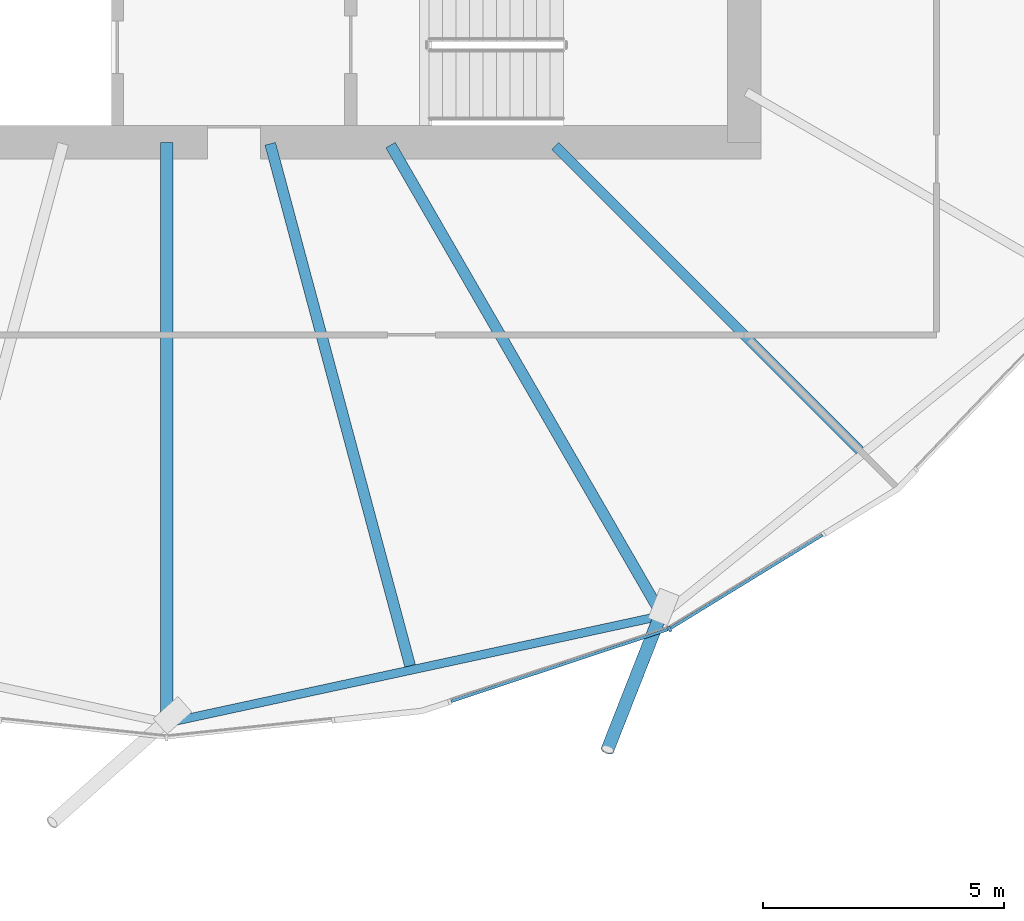
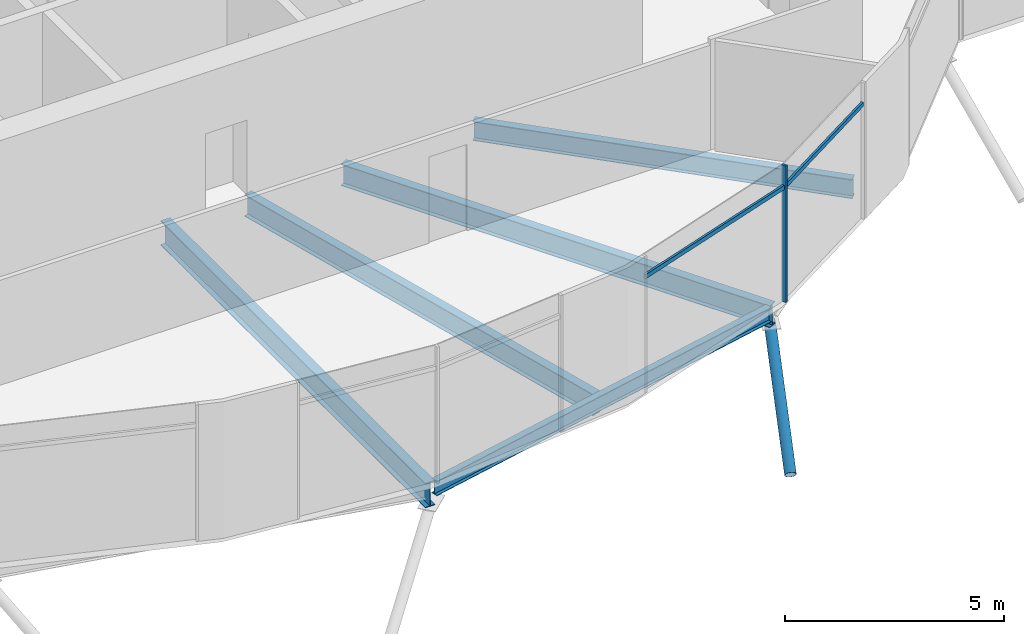
# One storey, part 4 of 39: 5 beams, 4 members, 1 element without a shape of its own.
"""IFC4 building model written with IfcOpenShell, lengths in metres."""

from ifc_helpers import new_model, si_unit, direction, frame, origin, origin_2d, place, context, subcontext, project, spatial, rectangle, hollow_circle, i_section, extrude, clip, halfspace, material, material_profile, profile_set, type_object, element, aggregate, save


model = new_model("IFC4")

# Units and contexts
model_context = context("Model", 3, precision=1e-05, world=origin(), true_north=direction((0.0, 1.0)))
body_context = subcontext(model_context, "Body", "Model", "MODEL_VIEW")
ifc_project = project(units=[si_unit("LENGTHUNIT", "METRE"), si_unit("AREAUNIT", "SQUARE_METRE"), si_unit("VOLUMEUNIT", "CUBIC_METRE"), si_unit("PLANEANGLEUNIT", "RADIAN"), si_unit("MASSUNIT", "GRAM", prefix="KILO")], contexts=[model_context])

# Site, building, storey
site_placement = place(None, origin())
site = spatial("IfcSite", under=ifc_project, at=site_placement, CompositionType="ELEMENT")
building_placement = place(site_placement, origin())
building = spatial("IfcBuilding", under=site, at=building_placement, Name="Rimbun Link Towers", CompositionType="ELEMENT")
storey_placement = place(building_placement, frame((0.0, 0.0, 139.199951171875)))
storey = spatial("IfcBuildingStorey", under=building, at=storey_placement, Name="L33", CompositionType="ELEMENT", Elevation=139.199951171875)

# Curtain wall, members
ifc_material_1 = material(Name="Aluminium 6063-T6 and low-iron glass", Category="aluminium")
curtain_wall_type = type_object("IfcCurtainWallType", Name="CW4 link block wall", PredefinedType="NOTDEFINED", material=ifc_material_1)
curtain_wall_placement = place(storey_placement, origin())
curtain_wall = element("IfcCurtainWall", 1, at=curtain_wall_placement, inside=storey, type_object=curtain_wall_type, Name="CW4 L33 T1", PredefinedType="NOTDEFINED")
ifc_material_2 = material(Name="Aluminium 6063-T6", Category="aluminium")
ifc_material_profile_1 = material_profile(ifc_material_2, rectangle(XDim=0.1201171875, YDim=0.06005859375, at=origin_2d()), Name="MULLION 60X120")
ifc_profile_set_1 = profile_set([ifc_material_profile_1], Name="Aluminium 6063-T6")
member_type_1 = type_object("IfcMemberType", Name="CW4 mullion 60X120", PredefinedType="MULLION", material=ifc_profile_set_1)
member_1_placement = place(storey_placement, frame((-21.29931640625, -18.11181640625, 0.0), z_axis=(0.0, 0.0, 1.0), x_axis=(0.421697332152, -0.906736654192, 0.0)))
member_1 = element("IfcMember", 2, at=member_1_placement, type_object=member_type_1, Name="CW4 mullion", PredefinedType="MULLION", context=body_context, shape_type="SweptSolid", body=[
    extrude(rectangle(XDim=0.1201171875, YDim=0.06005859375, at=origin_2d()), origin(), (0.0, 0.0, 1.0), 3.800048828125),
])
ifc_material_3 = material(Name="Aluminium 6063-T6", Category="aluminium")
ifc_material_profile_2 = material_profile(ifc_material_3, rectangle(XDim=0.06005859375, YDim=0.1201171875, at=origin_2d()), Name="TRANSOM 60X120")
ifc_profile_set_2 = profile_set([ifc_material_profile_2], Name="Aluminium 6063-T6")
member_type_2 = type_object("IfcMemberType", Name="CW4 transom 60X120", PredefinedType="USERDEFINED", material=ifc_profile_set_2)
member_2_placement = place(storey_placement, frame((-21.334716796875, -18.1220703125, 3.199951171875), z_axis=(-0.949232304469, -0.314575956093, 0.0), x_axis=(0.314575956093, -0.949232304469, 0.0)))
member_2 = element("IfcMember", 3, at=member_2_placement, type_object=member_type_2, Name="CW4 transom", ObjectType="TRANSOM", PredefinedType="USERDEFINED", context=body_context, shape_type="SweptSolid", body=[
    extrude(rectangle(XDim=0.06005859375, YDim=0.1201171875, at=origin_2d()), origin(), (0.0, 0.0, 1.0), 4.745849609375),
])
member_3_placement = place(storey_placement, frame((-18.125, -16.1611328125, 3.199951171875), z_axis=(-0.85218054514, -0.523247855691, 0.0), x_axis=(0.523247855691, -0.85218054514, 0.0)))
member_3 = element("IfcMember", 4, at=member_3_placement, type_object=member_type_2, Name="CW4 transom", ObjectType="TRANSOM", PredefinedType="USERDEFINED", context=body_context, shape_type="SweptSolid", body=[
    extrude(rectangle(XDim=0.06005859375, YDim=0.1201171875, at=origin_2d()), origin(), (0.0, 0.0, 1.0), 3.688720703125),
])
aggregate(curtain_wall, [member_1, member_2, member_3])

# Member
ifc_material_4 = material(Name="Steel S355J2H", Category="steel")
ifc_material_profile_3 = material_profile(ifc_material_4, hollow_circle(Radius=0.136474609375, WallThickness=0.012451171875, at=origin_2d()), Name="CHS 273x12.5")
ifc_profile_set_3 = profile_set([ifc_material_profile_3], Name="Steel S355J2H")
member_type_3 = type_object("IfcMemberType", Name="Floor edge link CHS 273x12.5", PredefinedType="BRACE", material=ifc_profile_set_3)
member_4_placement = place(storey_placement, frame((-21.47705078125, -17.793212890625, -0.89794921875), z_axis=(-0.308584727435, -0.78422385655, -0.538301410747), x_axis=(0.930550735506, -0.366162980994, 0.0)))
element("IfcMember", 5, at=member_4_placement, inside=storey, type_object=member_type_3, Name="Floor edge link T1 L33 20", PredefinedType="BRACE", context=body_context, shape_type="Clipping", body=[
    clip(extrude(hollow_circle(Radius=0.136474609375, WallThickness=0.012451171875, at=origin_2d()), frame((0.0, 0.0, -0.44580078125)), (0.0, 0.0, 1.0), 4.0615234375), halfspace(frame((0.0, 0.0, -0.210693359375), z_axis=(0.0, 0.8427523902, -0.538301410747)), False)),
])

# Beams
ifc_material_5 = material(Name="Steel S355J2", Category="steel")
ifc_material_profile_4 = material_profile(ifc_material_5, i_section(OverallWidth=0.177978515625, OverallDepth=0.406494140625, WebThickness=0.0078125, FlangeThickness=0.0126953125, at=origin_2d()), Name="UB 406x178x60")
ifc_profile_set_4 = profile_set([ifc_material_profile_4], Name="Steel S355J2")
beam_type_1 = type_object("IfcBeamType", Name="UB 406x178x60", PredefinedType="BEAM", material=ifc_profile_set_4)
beam_1_placement = place(storey_placement, frame((-31.622314453125, -20.03662109375, -0.383056640625), z_axis=(0.977388184386, 0.211452919162, 0.0), x_axis=(-0.211452919162, 0.977388184386, 0.0)))
element("IfcBeam", 6, at=beam_1_placement, inside=storey, type_object=beam_type_1, Name="Edge beam T1 L33 18-20", PredefinedType="BEAM", context=body_context, shape_type="SweptSolid", body=[
    extrude(i_section(OverallWidth=0.177978515625, OverallDepth=0.406494140625, WebThickness=0.0078125, FlangeThickness=0.0126953125, at=origin_2d()), origin(), (0.0, 0.0, 1.0), 10.28515625),
])
ifc_material_6 = material(Name="Steel S355J2", Category="steel")
ifc_material_profile_5 = material_profile(ifc_material_6, i_section(OverallWidth=0.209228515625, OverallDepth=0.533203125, WebThickness=0.010009765625, FlangeThickness=0.015625, at=origin_2d()), Name="UB 533x210x92")
ifc_profile_set_5 = profile_set([ifc_material_profile_5], Name="Steel S355J2")
beam_type_2 = type_object("IfcBeamType", Name="UB 533x210x92", PredefinedType="BEAM", material=ifc_profile_set_5)
beam_2_placement = place(storey_placement, frame((-23.67529296875, -8.07470703125, -0.446533203125), z_axis=(0.707106781187, -0.707106781187, 0.0), x_axis=(0.707106781187, 0.707106781187, 0.0)))
element("IfcBeam", 7, at=beam_2_placement, inside=storey, type_object=beam_type_2, Name="Radial beam T1 L33 21", PredefinedType="BEAM", context=body_context, shape_type="SweptSolid", body=[
    extrude(i_section(OverallWidth=0.209228515625, OverallDepth=0.533203125, WebThickness=0.010009765625, FlangeThickness=0.015625, at=origin_2d()), origin(), (0.0, 0.0, 1.0), 8.951416015625),
])
ifc_material_7 = material(Name="Steel S355J2", Category="steel")
ifc_material_profile_6 = material_profile(ifc_material_7, i_section(OverallWidth=0.2275390625, OverallDepth=0.6025390625, WebThickness=0.010498046875, FlangeThickness=0.014892578125, at=origin_2d()), Name="UB 610x229x101")
ifc_profile_set_6 = profile_set([ifc_material_profile_6], Name="Steel S355J2")
beam_type_3 = type_object("IfcBeamType", Name="UB 610x229x101", PredefinedType="BEAM", material=ifc_profile_set_6)
beam_3_placement = place(storey_placement, frame((-29.598388671875, -8.030517578125, -0.481201171875), z_axis=(0.258834246174, -0.965921753046, 0.0), x_axis=(0.965921753046, 0.258834246174, 0.0)))
element("IfcBeam", 8, at=beam_3_placement, inside=storey, type_object=beam_type_3, Name="Radial beam T1 L33 19", PredefinedType="BEAM", context=body_context, shape_type="SweptSolid", body=[
    extrude(i_section(OverallWidth=0.2275390625, OverallDepth=0.6025390625, WebThickness=0.010498046875, FlangeThickness=0.014892578125, at=origin_2d()), origin(), (0.0, 0.0, 1.0), 11.230224609375),
])
beam_4_placement = place(storey_placement, frame((-27.097900390625, -8.057861328125, -0.481201171875), z_axis=(0.500006319009, -0.866021755472, 0.0), x_axis=(0.866021755472, 0.500006319009, 0.0)))
element("IfcBeam", 9, at=beam_4_placement, inside=storey, type_object=beam_type_3, Name="Radial beam T1 L33 20", PredefinedType="BEAM", context=body_context, shape_type="SweptSolid", body=[
    extrude(i_section(OverallWidth=0.2275390625, OverallDepth=0.6025390625, WebThickness=0.010498046875, FlangeThickness=0.014892578125, at=origin_2d()), origin(), (0.0, 0.0, 1.0), 11.291259765625),
])
ifc_material_8 = material(Name="Steel S355J2", Category="steel")
ifc_material_profile_7 = material_profile(ifc_material_8, i_section(OverallWidth=0.253662109375, OverallDepth=0.68359375, WebThickness=0.012451171875, FlangeThickness=0.01904296875, at=origin_2d()), Name="UB 686x254x140")
ifc_profile_set_7 = profile_set([ifc_material_profile_7], Name="Steel S355J2")
beam_type_4 = type_object("IfcBeamType", Name="UB 686x254x140", PredefinedType="BEAM", material=ifc_profile_set_7)
beam_5_placement = place(storey_placement, frame((-31.75, -8.0009765625, -0.521728515625), z_axis=(0.0, -1.0, 0.0), x_axis=(1.0, 0.0, 0.0)))
element("IfcBeam", 10, at=beam_5_placement, inside=storey, type_object=beam_type_4, Name="Radial beam T1 L33 18", PredefinedType="BEAM", context=body_context, shape_type="SweptSolid", body=[
    extrude(i_section(OverallWidth=0.253662109375, OverallDepth=0.68359375, WebThickness=0.012451171875, FlangeThickness=0.01904296875, at=origin_2d()), origin(), (0.0, 0.0, 1.0), 12.063232421875),
])

save(model, "model.ifc")
